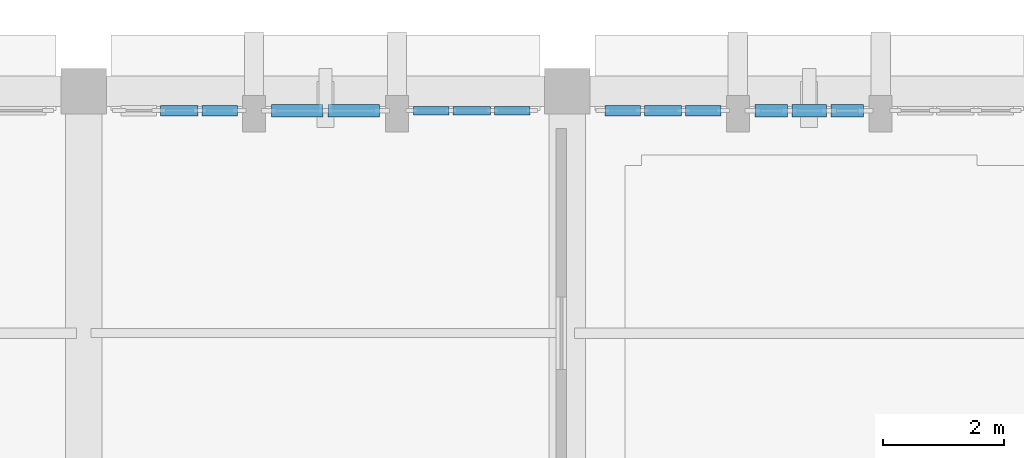
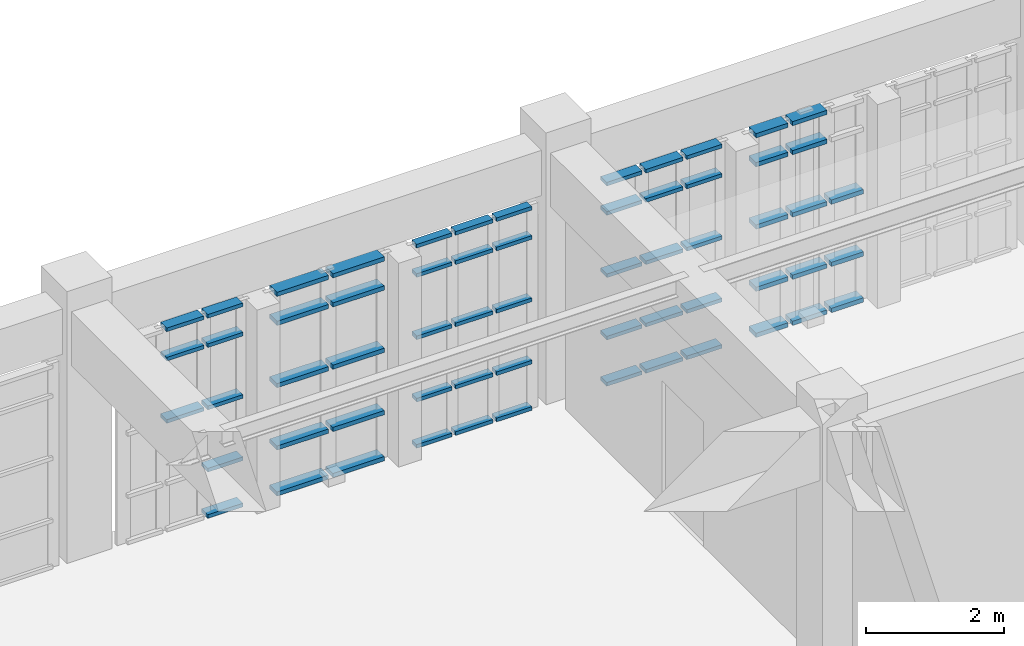
# One storey, part 71 of 155: 61 members, 5 elements without a shape of their own.
"""IFC4 building model written with IfcOpenShell, lengths in metres."""

from ifc_helpers import new_model, si_unit, direction, frame, origin, origin_2d, place, context, subcontext, project, spatial, rectangle, extrude, material, layer, layer_set, material_profile, profile_set, type_object, element, aggregate, save


model = new_model("IFC4")

# Units and contexts
model_context = context("Model", 3, precision=1e-05, world=origin(), true_north=direction((0.0, 1.0)))
body_context = subcontext(model_context, "Body", "Model", "MODEL_VIEW")
ifc_project = project(units=[si_unit("LENGTHUNIT", "METRE"), si_unit("AREAUNIT", "SQUARE_METRE"), si_unit("VOLUMEUNIT", "CUBIC_METRE"), si_unit("PLANEANGLEUNIT", "RADIAN"), si_unit("MASSUNIT", "GRAM", prefix="KILO")], contexts=[model_context])

# Site, building, storey
site_placement = place(None, origin())
site = spatial("IfcSite", under=ifc_project, at=site_placement, CompositionType="ELEMENT")
building_placement = place(site_placement, origin())
building = spatial("IfcBuilding", under=site, at=building_placement, Name="Tazarka Park Arena", CompositionType="ELEMENT")
storey_placement = place(building_placement, frame((0.0, 0.0, 5.39990234375)))
storey = spatial("IfcBuildingStorey", under=building, at=storey_placement, Name="L01", CompositionType="ELEMENT", Elevation=5.39990234375)

# Curtain wall, members
ifc_material_1 = material(Name="Aluminium and low-e glass", Category="aluminium")
ifc_layer_1 = layer(ifc_material_1, 0.179931640625, Name="Aluminium and low-e glass")
ifc_layer_set_1 = layer_set([ifc_layer_1], Name="Aluminium and low-e glass")
curtain_wall_type_1 = type_object("IfcCurtainWallType", Name="CW-09", PredefinedType="NOTDEFINED", material=ifc_layer_set_1)
curtain_wall_1_placement = place(storey_placement, origin())
curtain_wall_1 = element("IfcCurtainWall", 1, at=curtain_wall_1_placement, inside=storey, type_object=curtain_wall_type_1, Name="Curtain Wall CWA-L01-039", PredefinedType="NOTDEFINED")
ifc_material_2 = material(Name="Aluminium 6060-T66", Category="aluminium")
ifc_material_profile_1 = material_profile(ifc_material_2, rectangle(XDim=0.139892578125, YDim=0.06494140625, at=origin_2d()), Name="Aluminium 6060-T66")
ifc_profile_set_1 = profile_set([ifc_material_profile_1], Name="Aluminium 6060-T66")
member_type_1 = type_object("IfcMemberType", Name="CWT-01", PredefinedType="USERDEFINED", material=ifc_profile_set_1)
member_1_placement = place(storey_placement, frame((85.456787109375, 127.679931640625, 0.03271484375), z_axis=(1.0, 0.0, 0.0), x_axis=(0.0, 1.0, 0.0)))
member_1 = element("IfcMember", 2, at=member_1_placement, type_object=member_type_1, Name="CW-09 transom 1.1", ObjectType="TRANSOM", PredefinedType="USERDEFINED", context=body_context, shape_type="SweptSolid", body=[
    extrude(rectangle(XDim=0.139892578125, YDim=0.06494140625, at=origin_2d()), origin(), (0.0, 0.0, 1.0), 0.5869140625),
])
member_2_placement = place(storey_placement, frame((85.456787109375, 127.679931640625, 0.85009765625), z_axis=(1.0, 0.0, 0.0), x_axis=(0.0, 1.0, 0.0)))
member_2 = element("IfcMember", 3, at=member_2_placement, type_object=member_type_1, Name="CW-09 transom 1.2", ObjectType="TRANSOM", PredefinedType="USERDEFINED", context=body_context, shape_type="SweptSolid", body=[
    extrude(rectangle(XDim=0.139892578125, YDim=0.06494140625, at=origin_2d()), origin(), (0.0, 0.0, 1.0), 0.5869140625),
])
member_3_placement = place(storey_placement, frame((85.456787109375, 127.679931640625, 1.9501953125), z_axis=(1.0, 0.0, 0.0), x_axis=(0.0, 1.0, 0.0)))
member_3 = element("IfcMember", 4, at=member_3_placement, type_object=member_type_1, Name="CW-09 transom 1.3", ObjectType="TRANSOM", PredefinedType="USERDEFINED", context=body_context, shape_type="SweptSolid", body=[
    extrude(rectangle(XDim=0.139892578125, YDim=0.06494140625, at=origin_2d()), origin(), (0.0, 0.0, 1.0), 0.5869140625),
])
member_4_placement = place(storey_placement, frame((85.456787109375, 127.679931640625, 3.050048828125), z_axis=(1.0, 0.0, 0.0), x_axis=(0.0, 1.0, 0.0)))
member_4 = element("IfcMember", 5, at=member_4_placement, type_object=member_type_1, Name="CW-09 transom 1.4", ObjectType="TRANSOM", PredefinedType="USERDEFINED", context=body_context, shape_type="SweptSolid", body=[
    extrude(rectangle(XDim=0.139892578125, YDim=0.06494140625, at=origin_2d()), origin(), (0.0, 0.0, 1.0), 0.5869140625),
])
member_5_placement = place(storey_placement, frame((85.456787109375, 127.679931640625, 3.567626953125), z_axis=(1.0, 0.0, 0.0), x_axis=(0.0, 1.0, 0.0)))
member_5 = element("IfcMember", 6, at=member_5_placement, type_object=member_type_1, Name="CW-09 transom 1.5", ObjectType="TRANSOM", PredefinedType="USERDEFINED", context=body_context, shape_type="SweptSolid", body=[
    extrude(rectangle(XDim=0.139892578125, YDim=0.06494140625, at=origin_2d()), origin(), (0.0, 0.0, 1.0), 0.5869140625),
])
member_6_placement = place(storey_placement, frame((86.108642578125, 127.679931640625, 0.03271484375), z_axis=(1.0, 0.0, 0.0), x_axis=(0.0, 1.0, 0.0)))
member_6 = element("IfcMember", 7, at=member_6_placement, type_object=member_type_1, Name="CW-09 transom 2.1", ObjectType="TRANSOM", PredefinedType="USERDEFINED", context=body_context, shape_type="SweptSolid", body=[
    extrude(rectangle(XDim=0.139892578125, YDim=0.06494140625, at=origin_2d()), origin(), (0.0, 0.0, 1.0), 0.619384765625),
])
member_7_placement = place(storey_placement, frame((86.108642578125, 127.679931640625, 0.85009765625), z_axis=(1.0, 0.0, 0.0), x_axis=(0.0, 1.0, 0.0)))
member_7 = element("IfcMember", 8, at=member_7_placement, type_object=member_type_1, Name="CW-09 transom 2.2", ObjectType="TRANSOM", PredefinedType="USERDEFINED", context=body_context, shape_type="SweptSolid", body=[
    extrude(rectangle(XDim=0.139892578125, YDim=0.06494140625, at=origin_2d()), origin(), (0.0, 0.0, 1.0), 0.619384765625),
])
member_8_placement = place(storey_placement, frame((86.108642578125, 127.679931640625, 1.9501953125), z_axis=(1.0, 0.0, 0.0), x_axis=(0.0, 1.0, 0.0)))
member_8 = element("IfcMember", 9, at=member_8_placement, type_object=member_type_1, Name="CW-09 transom 2.3", ObjectType="TRANSOM", PredefinedType="USERDEFINED", context=body_context, shape_type="SweptSolid", body=[
    extrude(rectangle(XDim=0.139892578125, YDim=0.06494140625, at=origin_2d()), origin(), (0.0, 0.0, 1.0), 0.619384765625),
])
member_9_placement = place(storey_placement, frame((86.108642578125, 127.679931640625, 3.050048828125), z_axis=(1.0, 0.0, 0.0), x_axis=(0.0, 1.0, 0.0)))
member_9 = element("IfcMember", 10, at=member_9_placement, type_object=member_type_1, Name="CW-09 transom 2.4", ObjectType="TRANSOM", PredefinedType="USERDEFINED", context=body_context, shape_type="SweptSolid", body=[
    extrude(rectangle(XDim=0.139892578125, YDim=0.06494140625, at=origin_2d()), origin(), (0.0, 0.0, 1.0), 0.619384765625),
])
member_10_placement = place(storey_placement, frame((86.108642578125, 127.679931640625, 3.567626953125), z_axis=(1.0, 0.0, 0.0), x_axis=(0.0, 1.0, 0.0)))
member_10 = element("IfcMember", 11, at=member_10_placement, type_object=member_type_1, Name="CW-09 transom 2.5", ObjectType="TRANSOM", PredefinedType="USERDEFINED", context=body_context, shape_type="SweptSolid", body=[
    extrude(rectangle(XDim=0.139892578125, YDim=0.06494140625, at=origin_2d()), origin(), (0.0, 0.0, 1.0), 0.619384765625),
])
member_11_placement = place(storey_placement, frame((86.79296875, 127.679931640625, 0.03271484375), z_axis=(1.0, 0.0, 0.0), x_axis=(0.0, 1.0, 0.0)))
member_11 = element("IfcMember", 12, at=member_11_placement, type_object=member_type_1, Name="CW-09 transom 3.1", ObjectType="TRANSOM", PredefinedType="USERDEFINED", context=body_context, shape_type="SweptSolid", body=[
    extrude(rectangle(XDim=0.139892578125, YDim=0.06494140625, at=origin_2d()), origin(), (0.0, 0.0, 1.0), 0.5869140625),
])
member_12_placement = place(storey_placement, frame((86.79296875, 127.679931640625, 0.85009765625), z_axis=(1.0, 0.0, 0.0), x_axis=(0.0, 1.0, 0.0)))
member_12 = element("IfcMember", 13, at=member_12_placement, type_object=member_type_1, Name="CW-09 transom 3.2", ObjectType="TRANSOM", PredefinedType="USERDEFINED", context=body_context, shape_type="SweptSolid", body=[
    extrude(rectangle(XDim=0.139892578125, YDim=0.06494140625, at=origin_2d()), origin(), (0.0, 0.0, 1.0), 0.5869140625),
])
member_13_placement = place(storey_placement, frame((86.79296875, 127.679931640625, 1.9501953125), z_axis=(1.0, 0.0, 0.0), x_axis=(0.0, 1.0, 0.0)))
member_13 = element("IfcMember", 14, at=member_13_placement, type_object=member_type_1, Name="CW-09 transom 3.3", ObjectType="TRANSOM", PredefinedType="USERDEFINED", context=body_context, shape_type="SweptSolid", body=[
    extrude(rectangle(XDim=0.139892578125, YDim=0.06494140625, at=origin_2d()), origin(), (0.0, 0.0, 1.0), 0.5869140625),
])
member_14_placement = place(storey_placement, frame((86.79296875, 127.679931640625, 3.050048828125), z_axis=(1.0, 0.0, 0.0), x_axis=(0.0, 1.0, 0.0)))
member_14 = element("IfcMember", 15, at=member_14_placement, type_object=member_type_1, Name="CW-09 transom 3.4", ObjectType="TRANSOM", PredefinedType="USERDEFINED", context=body_context, shape_type="SweptSolid", body=[
    extrude(rectangle(XDim=0.139892578125, YDim=0.06494140625, at=origin_2d()), origin(), (0.0, 0.0, 1.0), 0.5869140625),
])
member_15_placement = place(storey_placement, frame((86.79296875, 127.679931640625, 3.567626953125), z_axis=(1.0, 0.0, 0.0), x_axis=(0.0, 1.0, 0.0)))
member_15 = element("IfcMember", 16, at=member_15_placement, type_object=member_type_1, Name="CW-09 transom 3.5", ObjectType="TRANSOM", PredefinedType="USERDEFINED", context=body_context, shape_type="SweptSolid", body=[
    extrude(rectangle(XDim=0.139892578125, YDim=0.06494140625, at=origin_2d()), origin(), (0.0, 0.0, 1.0), 0.5869140625),
])
aggregate(curtain_wall_1, [member_1, member_2, member_3, member_4, member_5, member_6, member_7, member_8, member_9, member_10, member_11, member_12, member_13, member_14, member_15])

ifc_material_3 = material(Name="Aluminium and low-e glass", Category="aluminium")
ifc_layer_2 = layer(ifc_material_3, 0.179931640625, Name="Aluminium and low-e glass")
ifc_layer_set_2 = layer_set([ifc_layer_2], Name="Aluminium and low-e glass")
curtain_wall_type_2 = type_object("IfcCurtainWallType", Name="CW-04", PredefinedType="NOTDEFINED", material=ifc_layer_set_2)
curtain_wall_2_placement = place(storey_placement, origin())
curtain_wall_2 = element("IfcCurtainWall", 17, at=curtain_wall_2_placement, inside=storey, type_object=curtain_wall_type_2, Name="Curtain Wall CWA-L01-034", PredefinedType="NOTDEFINED")
ifc_material_4 = material(Name="Aluminium 6060-T66", Category="aluminium")
ifc_material_profile_2 = material_profile(ifc_material_4, rectangle(XDim=0.179931640625, YDim=0.06494140625, at=origin_2d()), Name="Aluminium 6060-T66")
ifc_profile_set_2 = profile_set([ifc_material_profile_2], Name="Aluminium 6060-T66")
member_type_2 = type_object("IfcMemberType", Name="CWT-02", PredefinedType="USERDEFINED", material=ifc_profile_set_2)
member_16_placement = place(storey_placement, frame((88.6201171875, 127.679931640625, 0.03271484375), z_axis=(1.0, 0.0, 0.0), x_axis=(0.0, 1.0, 0.0)))
member_16 = element("IfcMember", 18, at=member_16_placement, type_object=member_type_2, Name="CW-04 transom 1.1", ObjectType="TRANSOM", PredefinedType="USERDEFINED", context=body_context, shape_type="SweptSolid", body=[
    extrude(rectangle(XDim=0.179931640625, YDim=0.06494140625, at=origin_2d()), origin(), (0.0, 0.0, 1.0), 0.5869140625),
])
member_17_placement = place(storey_placement, frame((88.6201171875, 127.679931640625, 0.85009765625), z_axis=(1.0, 0.0, 0.0), x_axis=(0.0, 1.0, 0.0)))
member_17 = element("IfcMember", 19, at=member_17_placement, type_object=member_type_2, Name="CW-04 transom 1.2", ObjectType="TRANSOM", PredefinedType="USERDEFINED", context=body_context, shape_type="SweptSolid", body=[
    extrude(rectangle(XDim=0.179931640625, YDim=0.06494140625, at=origin_2d()), origin(), (0.0, 0.0, 1.0), 0.5869140625),
])
member_18_placement = place(storey_placement, frame((88.6201171875, 127.679931640625, 1.9501953125), z_axis=(1.0, 0.0, 0.0), x_axis=(0.0, 1.0, 0.0)))
member_18 = element("IfcMember", 20, at=member_18_placement, type_object=member_type_2, Name="CW-04 transom 1.3", ObjectType="TRANSOM", PredefinedType="USERDEFINED", context=body_context, shape_type="SweptSolid", body=[
    extrude(rectangle(XDim=0.179931640625, YDim=0.06494140625, at=origin_2d()), origin(), (0.0, 0.0, 1.0), 0.5869140625),
])
member_19_placement = place(storey_placement, frame((88.6201171875, 127.679931640625, 3.050048828125), z_axis=(1.0, 0.0, 0.0), x_axis=(0.0, 1.0, 0.0)))
member_19 = element("IfcMember", 21, at=member_19_placement, type_object=member_type_2, Name="CW-04 transom 1.4", ObjectType="TRANSOM", PredefinedType="USERDEFINED", context=body_context, shape_type="SweptSolid", body=[
    extrude(rectangle(XDim=0.179931640625, YDim=0.06494140625, at=origin_2d()), origin(), (0.0, 0.0, 1.0), 0.5869140625),
])
member_20_placement = place(storey_placement, frame((88.6201171875, 127.679931640625, 3.567626953125), z_axis=(1.0, 0.0, 0.0), x_axis=(0.0, 1.0, 0.0)))
member_20 = element("IfcMember", 22, at=member_20_placement, type_object=member_type_2, Name="CW-04 transom 1.5", ObjectType="TRANSOM", PredefinedType="USERDEFINED", context=body_context, shape_type="SweptSolid", body=[
    extrude(rectangle(XDim=0.179931640625, YDim=0.06494140625, at=origin_2d()), origin(), (0.0, 0.0, 1.0), 0.5869140625),
])
member_21_placement = place(storey_placement, frame((89.27197265625, 127.679931640625, 0.03271484375), z_axis=(1.0, 0.0, 0.0), x_axis=(0.0, 1.0, 0.0)))
member_21 = element("IfcMember", 23, at=member_21_placement, type_object=member_type_2, Name="CW-04 transom 2.1", ObjectType="TRANSOM", PredefinedType="USERDEFINED", context=body_context, shape_type="SweptSolid", body=[
    extrude(rectangle(XDim=0.179931640625, YDim=0.06494140625, at=origin_2d()), origin(), (0.0, 0.0, 1.0), 0.619384765625),
])
member_22_placement = place(storey_placement, frame((89.27197265625, 127.679931640625, 0.85009765625), z_axis=(1.0, 0.0, 0.0), x_axis=(0.0, 1.0, 0.0)))
member_22 = element("IfcMember", 24, at=member_22_placement, type_object=member_type_2, Name="CW-04 transom 2.2", ObjectType="TRANSOM", PredefinedType="USERDEFINED", context=body_context, shape_type="SweptSolid", body=[
    extrude(rectangle(XDim=0.179931640625, YDim=0.06494140625, at=origin_2d()), origin(), (0.0, 0.0, 1.0), 0.619384765625),
])
member_23_placement = place(storey_placement, frame((89.27197265625, 127.679931640625, 1.9501953125), z_axis=(1.0, 0.0, 0.0), x_axis=(0.0, 1.0, 0.0)))
member_23 = element("IfcMember", 25, at=member_23_placement, type_object=member_type_2, Name="CW-04 transom 2.3", ObjectType="TRANSOM", PredefinedType="USERDEFINED", context=body_context, shape_type="SweptSolid", body=[
    extrude(rectangle(XDim=0.179931640625, YDim=0.06494140625, at=origin_2d()), origin(), (0.0, 0.0, 1.0), 0.619384765625),
])
member_24_placement = place(storey_placement, frame((89.27197265625, 127.679931640625, 3.050048828125), z_axis=(1.0, 0.0, 0.0), x_axis=(0.0, 1.0, 0.0)))
member_24 = element("IfcMember", 26, at=member_24_placement, type_object=member_type_2, Name="CW-04 transom 2.4", ObjectType="TRANSOM", PredefinedType="USERDEFINED", context=body_context, shape_type="SweptSolid", body=[
    extrude(rectangle(XDim=0.179931640625, YDim=0.06494140625, at=origin_2d()), origin(), (0.0, 0.0, 1.0), 0.619384765625),
])
member_25_placement = place(storey_placement, frame((89.27197265625, 127.679931640625, 3.567626953125), z_axis=(1.0, 0.0, 0.0), x_axis=(0.0, 1.0, 0.0)))
member_25 = element("IfcMember", 27, at=member_25_placement, type_object=member_type_2, Name="CW-04 transom 2.5", ObjectType="TRANSOM", PredefinedType="USERDEFINED", context=body_context, shape_type="SweptSolid", body=[
    extrude(rectangle(XDim=0.179931640625, YDim=0.06494140625, at=origin_2d()), origin(), (0.0, 0.0, 1.0), 0.619384765625),
])
member_26_placement = place(storey_placement, frame((89.956298828125, 127.679931640625, 0.03271484375), z_axis=(1.0, 0.0, 0.0), x_axis=(0.0, 1.0, 0.0)))
member_26 = element("IfcMember", 28, at=member_26_placement, type_object=member_type_2, Name="CW-04 transom 3.1", ObjectType="TRANSOM", PredefinedType="USERDEFINED", context=body_context, shape_type="SweptSolid", body=[
    extrude(rectangle(XDim=0.179931640625, YDim=0.06494140625, at=origin_2d()), origin(), (0.0, 0.0, 1.0), 0.5869140625),
])
member_27_placement = place(storey_placement, frame((89.956298828125, 127.679931640625, 0.85009765625), z_axis=(1.0, 0.0, 0.0), x_axis=(0.0, 1.0, 0.0)))
member_27 = element("IfcMember", 29, at=member_27_placement, type_object=member_type_2, Name="CW-04 transom 3.2", ObjectType="TRANSOM", PredefinedType="USERDEFINED", context=body_context, shape_type="SweptSolid", body=[
    extrude(rectangle(XDim=0.179931640625, YDim=0.06494140625, at=origin_2d()), origin(), (0.0, 0.0, 1.0), 0.5869140625),
])
member_28_placement = place(storey_placement, frame((89.956298828125, 127.679931640625, 1.9501953125), z_axis=(1.0, 0.0, 0.0), x_axis=(0.0, 1.0, 0.0)))
member_28 = element("IfcMember", 30, at=member_28_placement, type_object=member_type_2, Name="CW-04 transom 3.3", ObjectType="TRANSOM", PredefinedType="USERDEFINED", context=body_context, shape_type="SweptSolid", body=[
    extrude(rectangle(XDim=0.179931640625, YDim=0.06494140625, at=origin_2d()), origin(), (0.0, 0.0, 1.0), 0.5869140625),
])
member_29_placement = place(storey_placement, frame((89.956298828125, 127.679931640625, 3.050048828125), z_axis=(1.0, 0.0, 0.0), x_axis=(0.0, 1.0, 0.0)))
member_29 = element("IfcMember", 31, at=member_29_placement, type_object=member_type_2, Name="CW-04 transom 3.4", ObjectType="TRANSOM", PredefinedType="USERDEFINED", context=body_context, shape_type="SweptSolid", body=[
    extrude(rectangle(XDim=0.179931640625, YDim=0.06494140625, at=origin_2d()), origin(), (0.0, 0.0, 1.0), 0.5869140625),
])
member_30_placement = place(storey_placement, frame((89.956298828125, 127.679931640625, 3.567626953125), z_axis=(1.0, 0.0, 0.0), x_axis=(0.0, 1.0, 0.0)))
member_30 = element("IfcMember", 32, at=member_30_placement, type_object=member_type_2, Name="CW-04 transom 3.5", ObjectType="TRANSOM", PredefinedType="USERDEFINED", context=body_context, shape_type="SweptSolid", body=[
    extrude(rectangle(XDim=0.179931640625, YDim=0.06494140625, at=origin_2d()), origin(), (0.0, 0.0, 1.0), 0.5869140625),
])
aggregate(curtain_wall_2, [member_16, member_17, member_18, member_19, member_20, member_21, member_22, member_23, member_24, member_25, member_26, member_27, member_28, member_29, member_30])

ifc_material_5 = material(Name="Aluminium and low-e glass", Category="aluminium")
ifc_layer_3 = layer(ifc_material_5, 0.179931640625, Name="Aluminium and low-e glass")
ifc_layer_set_3 = layer_set([ifc_layer_3], Name="Aluminium and low-e glass")
curtain_wall_type_3 = type_object("IfcCurtainWallType", Name="CW-07", PredefinedType="NOTDEFINED", material=ifc_layer_set_3)
curtain_wall_3_placement = place(storey_placement, origin())
curtain_wall_3 = element("IfcCurtainWall", 33, at=curtain_wall_3_placement, inside=storey, type_object=curtain_wall_type_3, Name="Curtain Wall CWA-L01-037", PredefinedType="NOTDEFINED")
member_31_placement = place(storey_placement, frame((81.27197265625, 127.679931640625, 1.9501953125), z_axis=(1.0, 0.0, 0.0), x_axis=(0.0, 1.0, 0.0)))
member_31 = element("IfcMember", 34, at=member_31_placement, type_object=member_type_2, Name="CW-07 transom 2.3", ObjectType="TRANSOM", PredefinedType="USERDEFINED", context=body_context, shape_type="SweptSolid", body=[
    extrude(rectangle(XDim=0.179931640625, YDim=0.06494140625, at=origin_2d()), origin(), (0.0, 0.0, 1.0), 0.619384765625),
])
member_32_placement = place(storey_placement, frame((81.27197265625, 127.679931640625, 3.050048828125), z_axis=(1.0, 0.0, 0.0), x_axis=(0.0, 1.0, 0.0)))
member_32 = element("IfcMember", 35, at=member_32_placement, type_object=member_type_2, Name="CW-07 transom 2.4", ObjectType="TRANSOM", PredefinedType="USERDEFINED", context=body_context, shape_type="SweptSolid", body=[
    extrude(rectangle(XDim=0.179931640625, YDim=0.06494140625, at=origin_2d()), origin(), (0.0, 0.0, 1.0), 0.619384765625),
])
member_33_placement = place(storey_placement, frame((81.27197265625, 127.679931640625, 3.567626953125), z_axis=(1.0, 0.0, 0.0), x_axis=(0.0, 1.0, 0.0)))
member_33 = element("IfcMember", 36, at=member_33_placement, type_object=member_type_2, Name="CW-07 transom 2.5", ObjectType="TRANSOM", PredefinedType="USERDEFINED", context=body_context, shape_type="SweptSolid", body=[
    extrude(rectangle(XDim=0.179931640625, YDim=0.06494140625, at=origin_2d()), origin(), (0.0, 0.0, 1.0), 0.619384765625),
])
member_34_placement = place(storey_placement, frame((81.956298828125, 127.679931640625, 0.03271484375), z_axis=(1.0, 0.0, 0.0), x_axis=(0.0, 1.0, 0.0)))
member_34 = element("IfcMember", 37, at=member_34_placement, type_object=member_type_2, Name="CW-07 transom 3.1", ObjectType="TRANSOM", PredefinedType="USERDEFINED", context=body_context, shape_type="SweptSolid", body=[
    extrude(rectangle(XDim=0.179931640625, YDim=0.06494140625, at=origin_2d()), origin(), (0.0, 0.0, 1.0), 0.5869140625),
])
member_35_placement = place(storey_placement, frame((81.956298828125, 127.679931640625, 0.85009765625), z_axis=(1.0, 0.0, 0.0), x_axis=(0.0, 1.0, 0.0)))
member_35 = element("IfcMember", 38, at=member_35_placement, type_object=member_type_2, Name="CW-07 transom 3.2", ObjectType="TRANSOM", PredefinedType="USERDEFINED", context=body_context, shape_type="SweptSolid", body=[
    extrude(rectangle(XDim=0.179931640625, YDim=0.06494140625, at=origin_2d()), origin(), (0.0, 0.0, 1.0), 0.5869140625),
])
member_36_placement = place(storey_placement, frame((81.956298828125, 127.679931640625, 1.9501953125), z_axis=(1.0, 0.0, 0.0), x_axis=(0.0, 1.0, 0.0)))
member_36 = element("IfcMember", 39, at=member_36_placement, type_object=member_type_2, Name="CW-07 transom 3.3", ObjectType="TRANSOM", PredefinedType="USERDEFINED", context=body_context, shape_type="SweptSolid", body=[
    extrude(rectangle(XDim=0.179931640625, YDim=0.06494140625, at=origin_2d()), origin(), (0.0, 0.0, 1.0), 0.5869140625),
])
member_37_placement = place(storey_placement, frame((81.956298828125, 127.679931640625, 3.050048828125), z_axis=(1.0, 0.0, 0.0), x_axis=(0.0, 1.0, 0.0)))
member_37 = element("IfcMember", 40, at=member_37_placement, type_object=member_type_2, Name="CW-07 transom 3.4", ObjectType="TRANSOM", PredefinedType="USERDEFINED", context=body_context, shape_type="SweptSolid", body=[
    extrude(rectangle(XDim=0.179931640625, YDim=0.06494140625, at=origin_2d()), origin(), (0.0, 0.0, 1.0), 0.5869140625),
])
member_38_placement = place(storey_placement, frame((81.956298828125, 127.679931640625, 3.567626953125), z_axis=(1.0, 0.0, 0.0), x_axis=(0.0, 1.0, 0.0)))
member_38 = element("IfcMember", 41, at=member_38_placement, type_object=member_type_2, Name="CW-07 transom 3.5", ObjectType="TRANSOM", PredefinedType="USERDEFINED", context=body_context, shape_type="SweptSolid", body=[
    extrude(rectangle(XDim=0.179931640625, YDim=0.06494140625, at=origin_2d()), origin(), (0.0, 0.0, 1.0), 0.5869140625),
])
aggregate(curtain_wall_3, [member_31, member_32, member_33, member_34, member_35, member_36, member_37, member_38])

ifc_material_6 = material(Name="Aluminium and low-e glass", Category="aluminium")
ifc_layer_4 = layer(ifc_material_6, 0.179931640625, Name="Aluminium and low-e glass")
ifc_layer_set_4 = layer_set([ifc_layer_4], Name="Aluminium and low-e glass")
curtain_wall_type_4 = type_object("IfcCurtainWallType", Name="CW-05", PredefinedType="NOTDEFINED", material=ifc_layer_set_4)
curtain_wall_4_placement = place(storey_placement, origin())
curtain_wall_4 = element("IfcCurtainWall", 42, at=curtain_wall_4_placement, inside=storey, type_object=curtain_wall_type_4, Name="Curtain Wall CWA-L01-035", PredefinedType="NOTDEFINED")
ifc_material_7 = material(Name="Aluminium 6060-T66", Category="aluminium")
ifc_material_profile_3 = material_profile(ifc_material_7, rectangle(XDim=0.2099609375, YDim=0.074951171875, at=origin_2d()), Name="Aluminium 6060-T66")
ifc_profile_set_3 = profile_set([ifc_material_profile_3], Name="Aluminium 6060-T66")
member_type_3 = type_object("IfcMemberType", Name="CWT-03", PredefinedType="USERDEFINED", material=ifc_profile_set_3)
member_39_placement = place(storey_placement, frame((91.103271484375, 127.679931640625, 0.03759765625), z_axis=(1.0, 0.0, 0.0), x_axis=(0.0, 1.0, 0.0)))
member_39 = element("IfcMember", 43, at=member_39_placement, type_object=member_type_3, Name="CW-05 transom 1.1", ObjectType="TRANSOM", PredefinedType="USERDEFINED", context=body_context, shape_type="SweptSolid", body=[
    extrude(rectangle(XDim=0.2099609375, YDim=0.074951171875, at=origin_2d()), origin(), (0.0, 0.0, 1.0), 0.535400390625),
])
member_40_placement = place(storey_placement, frame((91.103271484375, 127.679931640625, 0.85009765625), z_axis=(1.0, 0.0, 0.0), x_axis=(0.0, 1.0, 0.0)))
member_40 = element("IfcMember", 44, at=member_40_placement, type_object=member_type_3, Name="CW-05 transom 1.2", ObjectType="TRANSOM", PredefinedType="USERDEFINED", context=body_context, shape_type="SweptSolid", body=[
    extrude(rectangle(XDim=0.2099609375, YDim=0.074951171875, at=origin_2d()), origin(), (0.0, 0.0, 1.0), 0.535400390625),
])
member_41_placement = place(storey_placement, frame((91.103271484375, 127.679931640625, 1.9501953125), z_axis=(1.0, 0.0, 0.0), x_axis=(0.0, 1.0, 0.0)))
member_41 = element("IfcMember", 45, at=member_41_placement, type_object=member_type_3, Name="CW-05 transom 1.3", ObjectType="TRANSOM", PredefinedType="USERDEFINED", context=body_context, shape_type="SweptSolid", body=[
    extrude(rectangle(XDim=0.2099609375, YDim=0.074951171875, at=origin_2d()), origin(), (0.0, 0.0, 1.0), 0.535400390625),
])
member_42_placement = place(storey_placement, frame((91.103271484375, 127.679931640625, 3.050048828125), z_axis=(1.0, 0.0, 0.0), x_axis=(0.0, 1.0, 0.0)))
member_42 = element("IfcMember", 46, at=member_42_placement, type_object=member_type_3, Name="CW-05 transom 1.4", ObjectType="TRANSOM", PredefinedType="USERDEFINED", context=body_context, shape_type="SweptSolid", body=[
    extrude(rectangle(XDim=0.2099609375, YDim=0.074951171875, at=origin_2d()), origin(), (0.0, 0.0, 1.0), 0.535400390625),
])
member_43_placement = place(storey_placement, frame((91.103271484375, 127.679931640625, 3.5625), z_axis=(1.0, 0.0, 0.0), x_axis=(0.0, 1.0, 0.0)))
member_43 = element("IfcMember", 47, at=member_43_placement, type_object=member_type_3, Name="CW-05 transom 1.5", ObjectType="TRANSOM", PredefinedType="USERDEFINED", context=body_context, shape_type="SweptSolid", body=[
    extrude(rectangle(XDim=0.2099609375, YDim=0.074951171875, at=origin_2d()), origin(), (0.0, 0.0, 1.0), 0.535400390625),
])
member_44_placement = place(storey_placement, frame((91.713623046875, 127.679931640625, 0.03759765625), z_axis=(1.0, 0.0, 0.0), x_axis=(0.0, 1.0, 0.0)))
member_44 = element("IfcMember", 48, at=member_44_placement, type_object=member_type_3, Name="CW-05 transom 2.1", ObjectType="TRANSOM", PredefinedType="USERDEFINED", context=body_context, shape_type="SweptSolid", body=[
    extrude(rectangle(XDim=0.2099609375, YDim=0.074951171875, at=origin_2d()), origin(), (0.0, 0.0, 1.0), 0.57275390625),
])
member_45_placement = place(storey_placement, frame((91.713623046875, 127.679931640625, 0.85009765625), z_axis=(1.0, 0.0, 0.0), x_axis=(0.0, 1.0, 0.0)))
member_45 = element("IfcMember", 49, at=member_45_placement, type_object=member_type_3, Name="CW-05 transom 2.2", ObjectType="TRANSOM", PredefinedType="USERDEFINED", context=body_context, shape_type="SweptSolid", body=[
    extrude(rectangle(XDim=0.2099609375, YDim=0.074951171875, at=origin_2d()), origin(), (0.0, 0.0, 1.0), 0.57275390625),
])
member_46_placement = place(storey_placement, frame((91.713623046875, 127.679931640625, 1.9501953125), z_axis=(1.0, 0.0, 0.0), x_axis=(0.0, 1.0, 0.0)))
member_46 = element("IfcMember", 50, at=member_46_placement, type_object=member_type_3, Name="CW-05 transom 2.3", ObjectType="TRANSOM", PredefinedType="USERDEFINED", context=body_context, shape_type="SweptSolid", body=[
    extrude(rectangle(XDim=0.2099609375, YDim=0.074951171875, at=origin_2d()), origin(), (0.0, 0.0, 1.0), 0.57275390625),
])
member_47_placement = place(storey_placement, frame((91.713623046875, 127.679931640625, 3.050048828125), z_axis=(1.0, 0.0, 0.0), x_axis=(0.0, 1.0, 0.0)))
member_47 = element("IfcMember", 51, at=member_47_placement, type_object=member_type_3, Name="CW-05 transom 2.4", ObjectType="TRANSOM", PredefinedType="USERDEFINED", context=body_context, shape_type="SweptSolid", body=[
    extrude(rectangle(XDim=0.2099609375, YDim=0.074951171875, at=origin_2d()), origin(), (0.0, 0.0, 1.0), 0.57275390625),
])
member_48_placement = place(storey_placement, frame((91.713623046875, 127.679931640625, 3.5625), z_axis=(1.0, 0.0, 0.0), x_axis=(0.0, 1.0, 0.0)))
member_48 = element("IfcMember", 52, at=member_48_placement, type_object=member_type_3, Name="CW-05 transom 2.5", ObjectType="TRANSOM", PredefinedType="USERDEFINED", context=body_context, shape_type="SweptSolid", body=[
    extrude(rectangle(XDim=0.2099609375, YDim=0.074951171875, at=origin_2d()), origin(), (0.0, 0.0, 1.0), 0.57275390625),
])
member_49_placement = place(storey_placement, frame((92.361328125, 127.679931640625, 0.03759765625), z_axis=(1.0, 0.0, 0.0), x_axis=(0.0, 1.0, 0.0)))
member_49 = element("IfcMember", 53, at=member_49_placement, type_object=member_type_3, Name="CW-05 transom 3.1", ObjectType="TRANSOM", PredefinedType="USERDEFINED", context=body_context, shape_type="SweptSolid", body=[
    extrude(rectangle(XDim=0.2099609375, YDim=0.074951171875, at=origin_2d()), origin(), (0.0, 0.0, 1.0), 0.535400390625),
])
member_50_placement = place(storey_placement, frame((92.361328125, 127.679931640625, 0.85009765625), z_axis=(1.0, 0.0, 0.0), x_axis=(0.0, 1.0, 0.0)))
member_50 = element("IfcMember", 54, at=member_50_placement, type_object=member_type_3, Name="CW-05 transom 3.2", ObjectType="TRANSOM", PredefinedType="USERDEFINED", context=body_context, shape_type="SweptSolid", body=[
    extrude(rectangle(XDim=0.2099609375, YDim=0.074951171875, at=origin_2d()), origin(), (0.0, 0.0, 1.0), 0.535400390625),
])
member_51_placement = place(storey_placement, frame((92.361328125, 127.679931640625, 1.9501953125), z_axis=(1.0, 0.0, 0.0), x_axis=(0.0, 1.0, 0.0)))
member_51 = element("IfcMember", 55, at=member_51_placement, type_object=member_type_3, Name="CW-05 transom 3.3", ObjectType="TRANSOM", PredefinedType="USERDEFINED", context=body_context, shape_type="SweptSolid", body=[
    extrude(rectangle(XDim=0.2099609375, YDim=0.074951171875, at=origin_2d()), origin(), (0.0, 0.0, 1.0), 0.535400390625),
])
aggregate(curtain_wall_4, [member_39, member_40, member_41, member_42, member_43, member_44, member_45, member_46, member_47, member_48, member_49, member_50, member_51])

ifc_material_8 = material(Name="Aluminium and low-e glass", Category="aluminium")
ifc_layer_5 = layer(ifc_material_8, 0.179931640625, Name="Aluminium and low-e glass")
ifc_layer_set_5 = layer_set([ifc_layer_5], Name="Aluminium and low-e glass")
curtain_wall_type_5 = type_object("IfcCurtainWallType", Name="CW-08", PredefinedType="NOTDEFINED", material=ifc_layer_set_5)
curtain_wall_5_placement = place(storey_placement, origin())
curtain_wall_5 = element("IfcCurtainWall", 56, at=curtain_wall_5_placement, inside=storey, type_object=curtain_wall_type_5, Name="Curtain Wall CWA-L01-038", PredefinedType="NOTDEFINED")
member_52_placement = place(storey_placement, frame((83.103271484375, 127.679931640625, 0.03759765625), z_axis=(1.0, 0.0, 0.0), x_axis=(0.0, 1.0, 0.0)))
member_52 = element("IfcMember", 57, at=member_52_placement, type_object=member_type_3, Name="CW-08 transom 1.1", ObjectType="TRANSOM", PredefinedType="USERDEFINED", context=body_context, shape_type="SweptSolid", body=[
    extrude(rectangle(XDim=0.2099609375, YDim=0.074951171875, at=origin_2d()), origin(), (0.0, 0.0, 1.0), 0.859130859375),
])
member_53_placement = place(storey_placement, frame((83.103271484375, 127.679931640625, 0.85009765625), z_axis=(1.0, 0.0, 0.0), x_axis=(0.0, 1.0, 0.0)))
member_53 = element("IfcMember", 58, at=member_53_placement, type_object=member_type_3, Name="CW-08 transom 1.2", ObjectType="TRANSOM", PredefinedType="USERDEFINED", context=body_context, shape_type="SweptSolid", body=[
    extrude(rectangle(XDim=0.2099609375, YDim=0.074951171875, at=origin_2d()), origin(), (0.0, 0.0, 1.0), 0.859130859375),
])
member_54_placement = place(storey_placement, frame((83.103271484375, 127.679931640625, 1.9501953125), z_axis=(1.0, 0.0, 0.0), x_axis=(0.0, 1.0, 0.0)))
member_54 = element("IfcMember", 59, at=member_54_placement, type_object=member_type_3, Name="CW-08 transom 1.3", ObjectType="TRANSOM", PredefinedType="USERDEFINED", context=body_context, shape_type="SweptSolid", body=[
    extrude(rectangle(XDim=0.2099609375, YDim=0.074951171875, at=origin_2d()), origin(), (0.0, 0.0, 1.0), 0.859130859375),
])
member_55_placement = place(storey_placement, frame((83.103271484375, 127.679931640625, 3.050048828125), z_axis=(1.0, 0.0, 0.0), x_axis=(0.0, 1.0, 0.0)))
member_55 = element("IfcMember", 60, at=member_55_placement, type_object=member_type_3, Name="CW-08 transom 1.4", ObjectType="TRANSOM", PredefinedType="USERDEFINED", context=body_context, shape_type="SweptSolid", body=[
    extrude(rectangle(XDim=0.2099609375, YDim=0.074951171875, at=origin_2d()), origin(), (0.0, 0.0, 1.0), 0.859130859375),
])
member_56_placement = place(storey_placement, frame((83.103271484375, 127.679931640625, 3.5625), z_axis=(1.0, 0.0, 0.0), x_axis=(0.0, 1.0, 0.0)))
member_56 = element("IfcMember", 61, at=member_56_placement, type_object=member_type_3, Name="CW-08 transom 1.5", ObjectType="TRANSOM", PredefinedType="USERDEFINED", context=body_context, shape_type="SweptSolid", body=[
    extrude(rectangle(XDim=0.2099609375, YDim=0.074951171875, at=origin_2d()), origin(), (0.0, 0.0, 1.0), 0.859130859375),
])
member_57_placement = place(storey_placement, frame((84.03759765625, 127.679931640625, 0.03759765625), z_axis=(1.0, 0.0, 0.0), x_axis=(0.0, 1.0, 0.0)))
member_57 = element("IfcMember", 62, at=member_57_placement, type_object=member_type_3, Name="CW-08 transom 2.1", ObjectType="TRANSOM", PredefinedType="USERDEFINED", context=body_context, shape_type="SweptSolid", body=[
    extrude(rectangle(XDim=0.2099609375, YDim=0.074951171875, at=origin_2d()), origin(), (0.0, 0.0, 1.0), 0.859130859375),
])
member_58_placement = place(storey_placement, frame((84.03759765625, 127.679931640625, 0.85009765625), z_axis=(1.0, 0.0, 0.0), x_axis=(0.0, 1.0, 0.0)))
member_58 = element("IfcMember", 63, at=member_58_placement, type_object=member_type_3, Name="CW-08 transom 2.2", ObjectType="TRANSOM", PredefinedType="USERDEFINED", context=body_context, shape_type="SweptSolid", body=[
    extrude(rectangle(XDim=0.2099609375, YDim=0.074951171875, at=origin_2d()), origin(), (0.0, 0.0, 1.0), 0.859130859375),
])
member_59_placement = place(storey_placement, frame((84.03759765625, 127.679931640625, 1.9501953125), z_axis=(1.0, 0.0, 0.0), x_axis=(0.0, 1.0, 0.0)))
member_59 = element("IfcMember", 64, at=member_59_placement, type_object=member_type_3, Name="CW-08 transom 2.3", ObjectType="TRANSOM", PredefinedType="USERDEFINED", context=body_context, shape_type="SweptSolid", body=[
    extrude(rectangle(XDim=0.2099609375, YDim=0.074951171875, at=origin_2d()), origin(), (0.0, 0.0, 1.0), 0.859130859375),
])
member_60_placement = place(storey_placement, frame((84.03759765625, 127.679931640625, 3.050048828125), z_axis=(1.0, 0.0, 0.0), x_axis=(0.0, 1.0, 0.0)))
member_60 = element("IfcMember", 65, at=member_60_placement, type_object=member_type_3, Name="CW-08 transom 2.4", ObjectType="TRANSOM", PredefinedType="USERDEFINED", context=body_context, shape_type="SweptSolid", body=[
    extrude(rectangle(XDim=0.2099609375, YDim=0.074951171875, at=origin_2d()), origin(), (0.0, 0.0, 1.0), 0.859130859375),
])
member_61_placement = place(storey_placement, frame((84.03759765625, 127.679931640625, 3.5625), z_axis=(1.0, 0.0, 0.0), x_axis=(0.0, 1.0, 0.0)))
member_61 = element("IfcMember", 66, at=member_61_placement, type_object=member_type_3, Name="CW-08 transom 2.5", ObjectType="TRANSOM", PredefinedType="USERDEFINED", context=body_context, shape_type="SweptSolid", body=[
    extrude(rectangle(XDim=0.2099609375, YDim=0.074951171875, at=origin_2d()), origin(), (0.0, 0.0, 1.0), 0.859130859375),
])
aggregate(curtain_wall_5, [member_52, member_53, member_54, member_55, member_56, member_57, member_58, member_59, member_60, member_61])

save(model, "model.ifc")
